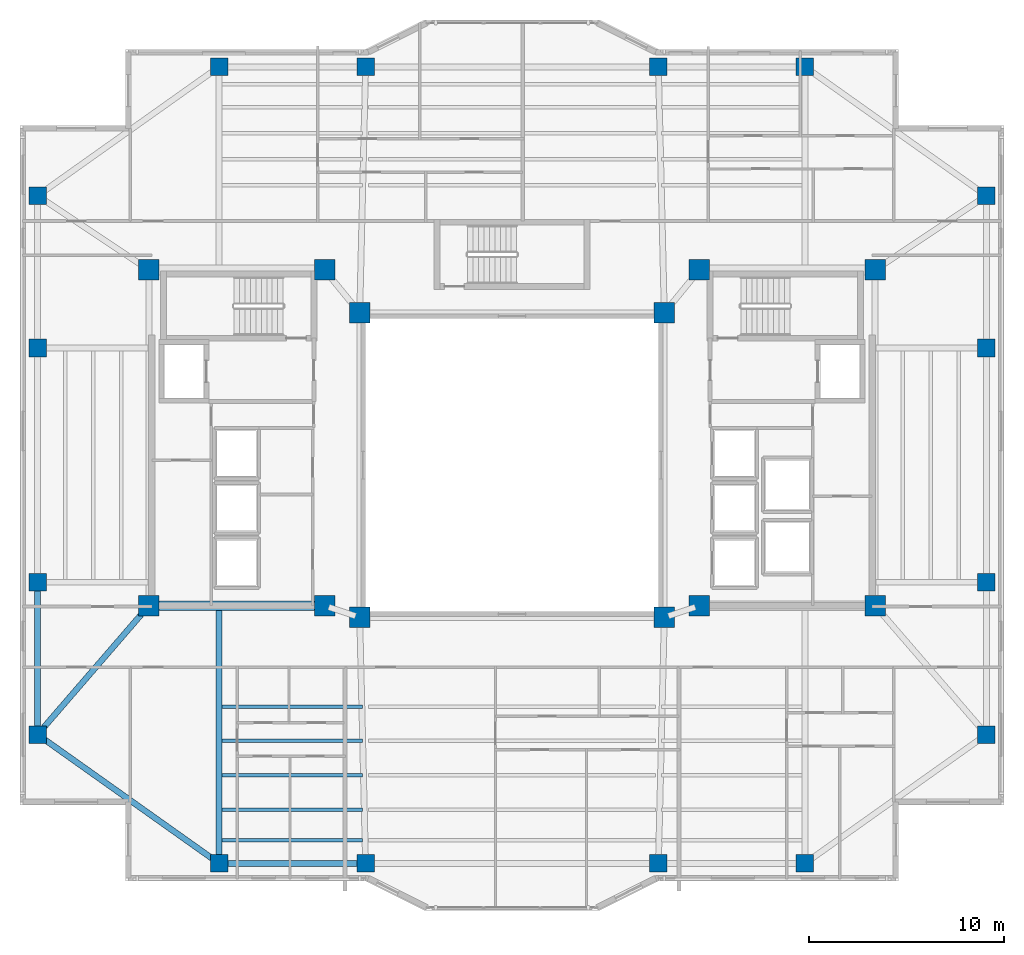
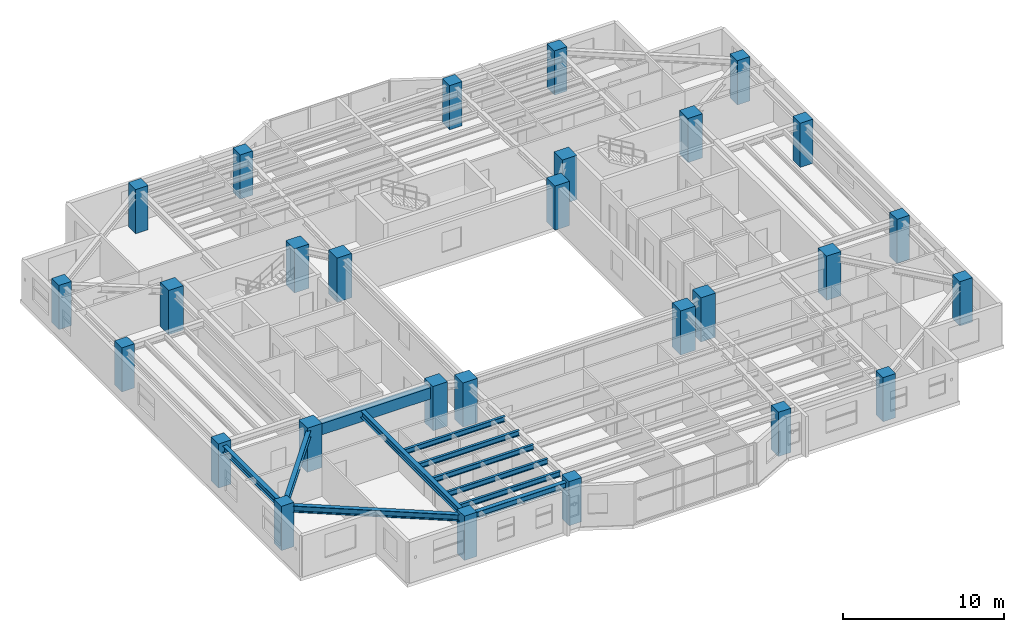
# One storey, part 1 of 15: 28 columns, 11 beams.
"""IFC4 building model written with IfcOpenShell, lengths in metres."""

from ifc_helpers import new_model, si_unit, direction, frame, origin, origin_2d, place, context, subcontext, project, spatial, rectangle, i_section, extrude, material, material_profile, profile_set, type_object, element, save


model = new_model("IFC4")

# Units and contexts
model_context = context("Model", 3, precision=1e-05, world=origin(), true_north=direction((0.0, 1.0)))
body_context = subcontext(model_context, "Body", "Model", "MODEL_VIEW")
ifc_project = project(units=[si_unit("LENGTHUNIT", "METRE"), si_unit("AREAUNIT", "SQUARE_METRE"), si_unit("VOLUMEUNIT", "CUBIC_METRE"), si_unit("PLANEANGLEUNIT", "RADIAN"), si_unit("MASSUNIT", "GRAM", prefix="KILO")], contexts=[model_context])

# Site, building, storey
site_placement = place(None, origin())
site = spatial("IfcSite", under=ifc_project, at=site_placement, CompositionType="ELEMENT")
building_placement = place(site_placement, origin())
building = spatial("IfcBuilding", under=site, at=building_placement, Name="Tarnavaz Court Tower", CompositionType="ELEMENT")
storey_placement = place(building_placement, frame((0.0, 0.0, 159.39990234375)))
storey = spatial("IfcBuildingStorey", under=building, at=storey_placement, Name="L43", CompositionType="ELEMENT", Elevation=159.39990234375)

# Columns
ifc_material_1 = material(Name="Concrete C60/75", Category="concrete")
ifc_material_profile_1 = material_profile(ifc_material_1, rectangle(XDim=1.050048828125, YDim=1.050048828125, at=origin_2d()), Name="RC 1050X1050")
ifc_profile_set_1 = profile_set([ifc_material_profile_1], Name="Concrete C60/75")
column_type_1 = type_object("IfcColumnType", Name="CL-RC1050", PredefinedType="COLUMN", material=ifc_profile_set_1)
for number, where, z_axis, x_axis, name in (
    (1, (-7.800048828125, -7.800048828125, 0.0), (0.0, 0.0, 1.0), (1.0, 0.0, 0.0), "L43 Column IW-SW"),
    (2, (7.800048828125, -7.800048828125, 0.0), (0.0, 0.0, 1.0), (1.0, 0.0, 0.0), "L43 Column IW-SE"),
    (3, (-7.800048828125, 7.800048828125, 0.0), (0.0, 0.0, 1.0), (1.0, 0.0, 0.0), "L43 Column IW-NW"),
    (4, (7.800048828125, 7.800048828125, 0.0), (0.0, 0.0, 1.0), (1.0, 0.0, 0.0), "L43 Column IW-NE"),
    (5, (-9.60009765625, -7.199951171875, 0.0), (0.0, 0.0, 1.0), (1.0, 0.0, 0.0), "L43 Column CW-SI"),
    (6, (-9.60009765625, 10.0, 0.0), (0.0, 0.0, 1.0), (1.0, 0.0, 0.0), "L43 Column CW-NI"),
    (7, (9.60009765625, -7.199951171875, 0.0), (0.0, 0.0, 1.0), (1.0, 0.0, 0.0), "L43 Column CE-SI"),
    (8, (9.60009765625, 10.0, 0.0), (0.0, 0.0, 1.0), (1.0, 0.0, 0.0), "L43 Column CE-NI"),
    (9, (-18.60009765625, -7.199951171875, 0.0), (0.0, 0.0, 1.0), (1.0, 0.0, 0.0), "L43 Column CW-SO"),
    (10, (-18.60009765625, 10.0, 0.0), (0.0, 0.0, 1.0), (1.0, 0.0, 0.0), "L43 Column CW-NO"),
    (11, (18.60009765625, -7.199951171875, 0.0), (0.0, 0.0, 1.0), (1.0, 0.0, 0.0), "L43 Column CE-SO"),
    (12, (18.60009765625, 10.0, 0.0), (0.0, 0.0, 1.0), (1.0, 0.0, 0.0), "L43 Column CE-NO"),
):
    element("IfcColumn", number, at=place(storey_placement, frame(where, z_axis=z_axis, x_axis=x_axis)), inside=storey, type_object=column_type_1, Name=name, PredefinedType="COLUMN", context=body_context, shape_type="SweptSolid", body=[
        extrude(rectangle(XDim=1.050048828125, YDim=1.050048828125, at=origin_2d()), origin(), (0.0, 0.0, 1.0), 3.35009765625),
    ])
ifc_material_2 = material(Name="Concrete C50/60", Category="concrete")
ifc_material_profile_2 = material_profile(ifc_material_2, rectangle(XDim=0.89990234375, YDim=0.89990234375, at=origin_2d()), Name="RC 900X900")
ifc_profile_set_2 = profile_set([ifc_material_profile_2], Name="Concrete C50/60")
column_type_2 = type_object("IfcColumnType", Name="CL-RC900", PredefinedType="COLUMN", material=ifc_profile_set_2)
for number, where, z_axis, x_axis, name in (
    (13, (-15.0, 20.39990234375, 0.0), (0.0, 0.0, 1.0), (1.0, 0.0, 0.0), "L43 Column PN-1"),
    (14, (-7.5, 20.39990234375, 0.0), (0.0, 0.0, 1.0), (1.0, 0.0, 0.0), "L43 Column PN-2"),
    (15, (7.5, 20.39990234375, 0.0), (0.0, 0.0, 1.0), (1.0, 0.0, 0.0), "L43 Column PN-3"),
    (16, (15.0, 20.39990234375, 0.0), (0.0, 0.0, 1.0), (1.0, 0.0, 0.0), "L43 Column PN-4"),
    (17, (-15.0, -20.39990234375, 0.0), (0.0, 0.0, 1.0), (1.0, 0.0, 0.0), "L43 Column PS-1"),
    (18, (-7.5, -20.39990234375, 0.0), (0.0, 0.0, 1.0), (1.0, 0.0, 0.0), "L43 Column PS-2"),
    (19, (7.5, -20.39990234375, 0.0), (0.0, 0.0, 1.0), (1.0, 0.0, 0.0), "L43 Column PS-3"),
    (20, (15.0, -20.39990234375, 0.0), (0.0, 0.0, 1.0), (1.0, 0.0, 0.0), "L43 Column PS-4"),
    (21, (24.300048828125, -13.800048828125, 0.0), (0.0, 0.0, 1.0), (1.0, 0.0, 0.0), "L43 Column PE-1"),
    (22, (24.300048828125, -6.0, 0.0), (0.0, 0.0, 1.0), (1.0, 0.0, 0.0), "L43 Column PE-2"),
    (23, (24.300048828125, 6.0, 0.0), (0.0, 0.0, 1.0), (1.0, 0.0, 0.0), "L43 Column PE-3"),
    (24, (24.300048828125, 13.800048828125, 0.0), (0.0, 0.0, 1.0), (1.0, 0.0, 0.0), "L43 Column PE-4"),
    (25, (-24.300048828125, -13.800048828125, 0.0), (0.0, 0.0, 1.0), (1.0, 0.0, 0.0), "L43 Column PW-1"),
    (26, (-24.300048828125, -6.0, 0.0), (0.0, 0.0, 1.0), (1.0, 0.0, 0.0), "L43 Column PW-2"),
    (27, (-24.300048828125, 6.0, 0.0), (0.0, 0.0, 1.0), (1.0, 0.0, 0.0), "L43 Column PW-3"),
    (28, (-24.300048828125, 13.800048828125, 0.0), (0.0, 0.0, 1.0), (1.0, 0.0, 0.0), "L43 Column PW-4"),
):
    element("IfcColumn", number, at=place(storey_placement, frame(where, z_axis=z_axis, x_axis=x_axis)), inside=storey, type_object=column_type_2, Name=name, PredefinedType="COLUMN", context=body_context, shape_type="SweptSolid", body=[
        extrude(rectangle(XDim=0.89990234375, YDim=0.89990234375, at=origin_2d()), origin(), (0.0, 0.0, 1.0), 3.35009765625),
    ])

# Beams
ifc_material_profile_3 = material_profile(ifc_material_2, rectangle(XDim=0.5, YDim=0.85009765625, at=origin_2d()), Name="RC 500X850")
ifc_profile_set_3 = profile_set([ifc_material_profile_3], Name="Concrete C50/60")
beam_type_1 = type_object("IfcBeamType", Name="BM-CB850", PredefinedType="LINTEL", material=ifc_profile_set_3)
beam_1_placement = place(storey_placement, frame((-18.3798828125, -7.199951171875, 2.675048828125), z_axis=(1.0, 0.0, 0.0), x_axis=(0.0, 1.0, 0.0)))
element("IfcBeam", 29, at=beam_1_placement, inside=storey, type_object=beam_type_1, Name="L43 Beam IN-CW-SO-CW-SI", PredefinedType="LINTEL", context=body_context, shape_type="SweptSolid", body=[
    extrude(rectangle(XDim=0.5, YDim=0.85009765625, at=origin_2d()), origin(), (0.0, 0.0, 1.0), 8.559814453125),
])
ifc_material_3 = material(Name="Steel S355", Category="steel")
ifc_material_profile_4 = material_profile(ifc_material_3, i_section(OverallWidth=0.300048828125, OverallDepth=0.5, WebThickness=0.014404296875, FlangeThickness=0.028076171875, FilletRadius=0.027099609375, at=origin_2d()), Name="HEB 500")
ifc_profile_set_4 = profile_set([ifc_material_profile_4], Name="Steel S355")
beam_type_2 = type_object("IfcBeamType", Name="BM-G-HEB500", PredefinedType="USERDEFINED", material=ifc_profile_set_4)
beam_2_placement = place(storey_placement, frame((-15.0, -7.239990234375, 2.85009765625), z_axis=(0.0, -1.0, 0.0), x_axis=(1.0, 0.0, 0.0)))
element("IfcBeam", 30, at=beam_2_placement, inside=storey, type_object=beam_type_2, Name="L43 Beam RG-05", ObjectType="GIRDER", PredefinedType="USERDEFINED", context=body_context, shape_type="SweptSolid", body=[
    extrude(i_section(OverallWidth=0.300048828125, OverallDepth=0.5, WebThickness=0.014404296875, FlangeThickness=0.028076171875, FilletRadius=0.027099609375, at=origin_2d()), origin(), (0.0, 0.0, 1.0), 12.93994140625),
])
beam_3_placement = place(storey_placement, frame((-18.743896484375, -7.366455078125, 2.85009765625), z_axis=(-0.653610659012, -0.756830962914, 0.0), x_axis=(0.756830962914, -0.653610659012, 0.0)))
element("IfcBeam", 31, at=beam_3_placement, inside=storey, type_object=beam_type_2, Name="L43 Beam RG-15", ObjectType="GIRDER", PredefinedType="USERDEFINED", context=body_context, shape_type="SweptSolid", body=[
    extrude(i_section(OverallWidth=0.300048828125, OverallDepth=0.5, WebThickness=0.014404296875, FlangeThickness=0.028076171875, FilletRadius=0.027099609375, at=origin_2d()), origin(), (0.0, 0.0, 1.0), 8.28076171875),
])
ifc_material_profile_5 = material_profile(ifc_material_3, i_section(OverallWidth=0.179931640625, OverallDepth=0.39990234375, WebThickness=0.008544921875, FlangeThickness=0.013427734375, FilletRadius=0.02099609375, at=origin_2d()), Name="IPE 400")
ifc_profile_set_5 = profile_set([ifc_material_profile_5], Name="Steel S355")
beam_type_3 = type_object("IfcBeamType", Name="BM-J-IPE400", PredefinedType="JOIST", material=ifc_profile_set_5)
for number, where, z_axis, x_axis, name in (
    (32, (-14.85009765625, -12.364013671875, 2.900146484375), (1.0, 0.0, 0.0), (0.0, 1.0, 0.0), "L43 Beam JS1-1"),
    (33, (-14.85009765625, -14.1279296875, 2.900146484375), (1.0, 0.0, 0.0), (0.0, 1.0, 0.0), "L43 Beam JS2-1"),
    (34, (-14.85009765625, -15.89208984375, 2.900146484375), (1.0, 0.0, 0.0), (0.0, 1.0, 0.0), "L43 Beam JS3-1"),
    (35, (-14.85009765625, -17.656005859375, 2.900146484375), (1.0, 0.0, 0.0), (0.0, 1.0, 0.0), "L43 Beam JS4-1"),
    (36, (-14.85009765625, -19.22412109375, 2.900146484375), (1.0, 0.0, 0.0), (0.0, 1.0, 0.0), "L43 Beam JS5-1"),
):
    element("IfcBeam", number, at=place(storey_placement, frame(where, z_axis=z_axis, x_axis=x_axis)), inside=storey, type_object=beam_type_3, Name=name, PredefinedType="JOIST", context=body_context, shape_type="SweptSolid", body=[
        extrude(i_section(OverallWidth=0.179931640625, OverallDepth=0.39990234375, WebThickness=0.008544921875, FlangeThickness=0.013427734375, FilletRadius=0.02099609375, at=origin_2d()), origin(), (0.0, 0.0, 1.0), 7.2001953125),
    ])
ifc_material_profile_6 = material_profile(ifc_material_3, i_section(OverallWidth=0.300048828125, OverallDepth=0.489990234375, WebThickness=0.011962890625, FlangeThickness=0.02294921875, FilletRadius=0.027099609375, at=origin_2d()), Name="HEA 500")
ifc_profile_set_6 = profile_set([ifc_material_profile_6], Name="Steel S355")
beam_type_4 = type_object("IfcBeamType", Name="BM-SP-HEA500", PredefinedType="SPANDREL", material=ifc_profile_set_6)
beam_4_placement = place(storey_placement, frame((-14.780029296875, -20.39990234375, 2.85498046875), z_axis=(1.0, 0.0, 0.0), x_axis=(0.0, 1.0, 0.0)))
element("IfcBeam", 37, at=beam_4_placement, inside=storey, type_object=beam_type_4, Name="L43 Beam PR-PS-1-PS-2", PredefinedType="SPANDREL", context=body_context, shape_type="SweptSolid", body=[
    extrude(i_section(OverallWidth=0.300048828125, OverallDepth=0.489990234375, WebThickness=0.011962890625, FlangeThickness=0.02294921875, FilletRadius=0.027099609375, at=origin_2d()), origin(), (0.0, 0.0, 1.0), 7.06005859375),
])
beam_5_placement = place(storey_placement, frame((-24.300048828125, -13.580078125, 2.85498046875), z_axis=(0.0, 1.0, 0.0), x_axis=(-1.0, 0.0, 0.0)))
element("IfcBeam", 38, at=beam_5_placement, inside=storey, type_object=beam_type_4, Name="L43 Beam PR-PW-1-PW-2", PredefinedType="SPANDREL", context=body_context, shape_type="SweptSolid", body=[
    extrude(i_section(OverallWidth=0.300048828125, OverallDepth=0.489990234375, WebThickness=0.011962890625, FlangeThickness=0.02294921875, FilletRadius=0.027099609375, at=origin_2d()), origin(), (0.0, 0.0, 1.0), 7.360107421875),
])
beam_6_placement = place(storey_placement, frame((-15.179443359375, -20.272705078125, 2.85498046875), z_axis=(-0.815502059396, 0.57875417158, 0.0), x_axis=(-0.57875417158, -0.815502059396, 0.0)))
element("IfcBeam", 39, at=beam_6_placement, inside=storey, type_object=beam_type_4, Name="L43 Beam PR-PS-1-PW-1", PredefinedType="SPANDREL", context=body_context, shape_type="SweptSolid", body=[
    extrude(i_section(OverallWidth=0.300048828125, OverallDepth=0.489990234375, WebThickness=0.011962890625, FlangeThickness=0.02294921875, FilletRadius=0.027099609375, at=origin_2d()), origin(), (0.0, 0.0, 1.0), 10.964111328125),
])

save(model, "model.ifc")
